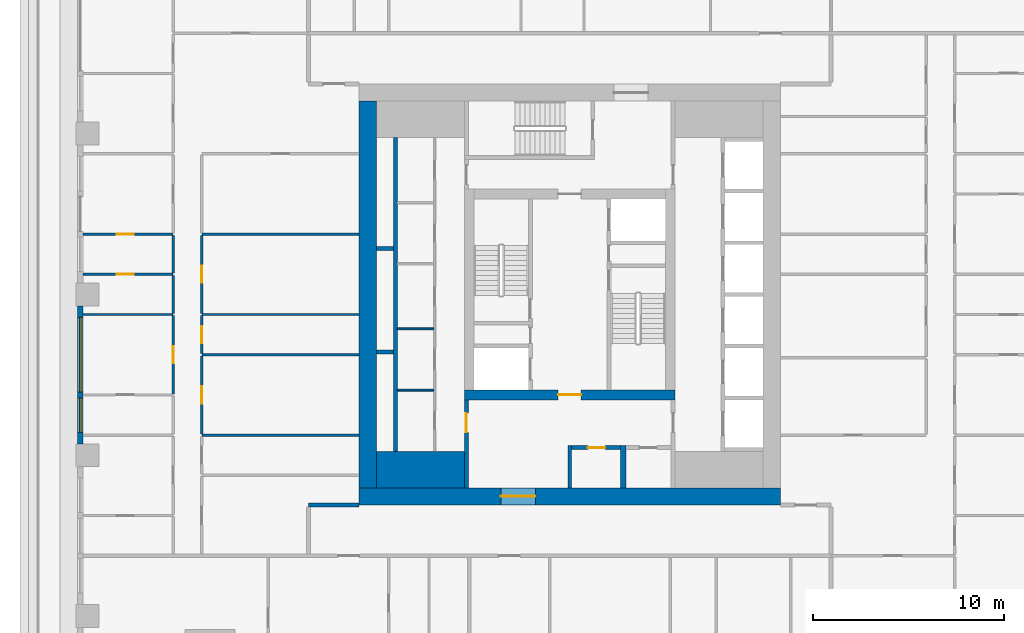
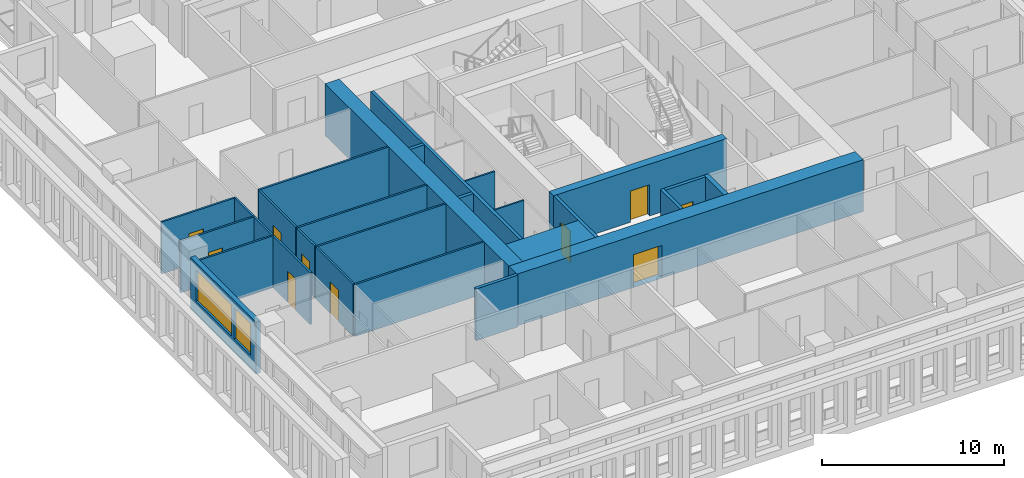
# One storey, part 3 of 16: 28 walls, 10 doors, 2 windows, 12 openings.
"""IFC4 building model written with IfcOpenShell, lengths in metres."""

from ifc_helpers import new_model, si_unit, direction, frame, frame_2d, origin, place, context, subcontext, project, spatial, rectangle, extrude, material, layer, layer_set, type_object, element, fill, save


model = new_model("IFC4")

# Units and contexts
model_context = context("Model", 3, precision=1e-05, world=origin(), true_north=direction((0.0, 1.0)))
body_context = subcontext(model_context, "Body", "Model", "MODEL_VIEW")
ifc_project = project(units=[si_unit("LENGTHUNIT", "METRE"), si_unit("AREAUNIT", "SQUARE_METRE"), si_unit("VOLUMEUNIT", "CUBIC_METRE"), si_unit("PLANEANGLEUNIT", "RADIAN"), si_unit("MASSUNIT", "GRAM", prefix="KILO")], contexts=[model_context])

# Site, building, storey
site_placement = place(None, origin())
site = spatial("IfcSite", under=ifc_project, at=site_placement, CompositionType="ELEMENT")
building_placement = place(site_placement, origin())
building = spatial("IfcBuilding", under=site, at=building_placement, Name="Khepri Terraces", CompositionType="ELEMENT")
storey_placement = place(building_placement, frame((0.0, 0.0, 172.800048828125)))
storey = spatial("IfcBuildingStorey", under=building, at=storey_placement, Name="L41", CompositionType="ELEMENT", Elevation=172.800048828125)

# Walls
ifc_material_1 = material(Name="Concrete C60/75", Category="concrete")
ifc_layer_1 = layer(ifc_material_1, 1.89990234375, Name="Concrete C60/75", Category="concrete")
ifc_layer_set_1 = layer_set([ifc_layer_1], Name="Concrete C60/75")
wall_type_1 = type_object("IfcWallType", Name="Core wall 1900 C60/75", PredefinedType="SHEAR", material=ifc_layer_set_1)
wall_1_placement = place(storey_placement, frame((-10.10009765625, -9.14990234375, 0.0), z_axis=(0.0, 0.0, 1.0), x_axis=(1.0, 0.0, 0.0)))
element("IfcWall", 1, at=wall_1_placement, inside=storey, type_object=wall_type_1, Name="Core wall PR01 L41", PredefinedType="SHEAR", context=body_context, shape_type="SweptSolid", body=[
    extrude(rectangle(XDim=4.60009765625, YDim=1.89990234375, at=frame_2d((2.300048828125, 0.0))), origin(), (0.0, 0.0, 1.0), 3.47998046875),
])
ifc_layer_2 = layer(ifc_material_1, 0.199951171875, Name="Concrete C60/75", Category="concrete")
ifc_layer_set_2 = layer_set([ifc_layer_2], Name="Concrete C60/75")
wall_type_2 = type_object("IfcWallType", Name="Core wall 200 C60/75", PredefinedType="SHEAR", material=ifc_layer_set_2)
wall_2_placement = place(storey_placement, frame((-9.10009765625, -8.199951171875, 0.0), z_axis=(0.0, 0.0, 1.0), x_axis=(0.0, 1.0, 0.0)))
element("IfcWall", 2, at=wall_2_placement, inside=storey, type_object=wall_type_2, Name="Core wall SH01 L41", PredefinedType="SHEAR", context=body_context, shape_type="SweptSolid", body=[
    extrude(rectangle(XDim=16.39990234375, YDim=0.199951171875, at=frame_2d((8.199951171875, 0.0))), origin(), (0.0, 0.0, 1.0), 3.47998046875),
])
for number, where, z_axis, x_axis, name in (
    (3, (-10.10009765625, -3.0, 0.0), (0.0, 0.0, 1.0), (1.0, 0.0, 0.0), "Core wall SH06 L41"),
    (4, (-10.10009765625, 2.39990234375, 0.0), (0.0, 0.0, 1.0), (1.0, 0.0, 0.0), "Core wall SH11 L41"),
):
    element("IfcWall", number, at=place(storey_placement, frame(where, z_axis=z_axis, x_axis=x_axis)), inside=storey, type_object=wall_type_2, Name=name, PredefinedType="SHEAR", context=body_context, shape_type="SweptSolid", body=[
        extrude(rectangle(XDim=0.900146484375, YDim=0.199951171875, at=frame_2d((0.4501953125, 0.0))), origin(), (0.0, 0.0, 1.0), 3.47998046875),
    ])

# Wall, opening, door
ifc_layer_3 = layer(ifc_material_1, 0.5, Name="Concrete C60/75", Category="concrete")
ifc_layer_set_3 = layer_set([ifc_layer_3], Name="Concrete C60/75")
wall_type_3 = type_object("IfcWallType", Name="Core wall 500 C60/75", PredefinedType="SHEAR", material=ifc_layer_set_3)
wall_3_placement = place(storey_placement, frame((-5.5, -5.25, 0.0), z_axis=(0.0, 0.0, 1.0), x_axis=(1.0, 0.0, 0.0)))
wall_3 = element("IfcWall", 5, at=wall_3_placement, inside=storey, type_object=wall_type_3, Name="Core wall BX01 L41", PredefinedType="SHEAR", context=body_context, shape_type="SweptSolid", body=[
    extrude(rectangle(XDim=11.0, YDim=0.5, at=frame_2d((5.5, 0.0))), origin(), (0.0, 0.0, 1.0), 3.47998046875),
])
opening_1_placement = place(wall_3_placement, frame((4.89990234375, 0.0, 0.0)))
opening_1 = element("IfcOpeningElement", 6, at=opening_1_placement, cuts=wall_3, Name="Opening L41-C14", PredefinedType="OPENING", context=body_context, shape_type="SweptSolid", body=[
    extrude(rectangle(XDim=1.199951171875, YDim=2.10009765625, at=frame_2d((0.60009765625, 1.050048828125))), frame((0.0, 0.260009765625, 0.0), z_axis=(0.0, -1.0, 0.0), x_axis=(1.0, 0.0, 0.0)), (0.0, 0.0, 1.0), 0.52001953125),
])
ifc_material_2 = material(Name="Painted steel", Category="steel")
door_type_1 = type_object("IfcDoorType", Name="DR-CORE-FF-LOBBY-1200", OperationType="NOTDEFINED", PredefinedType="DOOR", material=ifc_material_2)
door_1_placement = place(opening_1_placement, origin())
door_1 = element("IfcDoor", 7, at=door_1_placement, inside=storey, type_object=door_type_1, Name="Firefighting lobby door L41-C14", OperationType="SINGLE_SWING_RIGHT", OverallHeight=2.10009765625, OverallWidth=1.199951171875, PredefinedType="DOOR", context=body_context, shape_type="SweptSolid", body=[
    extrude(rectangle(XDim=1.199951171875, YDim=2.10009765625, at=frame_2d((0.60009765625, 1.050048828125))), frame((0.0, 0.02490234375, 0.0), z_axis=(0.0, -1.0, 0.0), x_axis=(1.0, 0.0, 0.0)), (0.0, 0.0, 1.0), 0.050048828125),
])
fill(opening_1, door_1)

ifc_layer_4 = layer(ifc_material_1, 0.89990234375, Name="Concrete C60/75", Category="concrete")
ifc_layer_set_4 = layer_set([ifc_layer_4], Name="Concrete C60/75")
wall_type_4 = type_object("IfcWallType", Name="Core wall 900 C60/75", PredefinedType="SHEAR", material=ifc_layer_set_4)
wall_4_placement = place(storey_placement, frame((-11.0, -10.550048828125, 0.0), z_axis=(0.0, 0.0, 1.0), x_axis=(1.0, 0.0, 0.0)))
wall_4 = element("IfcWall", 8, at=wall_4_placement, inside=storey, type_object=wall_type_4, Name="Core wall OW-S L41", PredefinedType="SHEAR", context=body_context, shape_type="SweptSolid", body=[
    extrude(rectangle(XDim=22.0, YDim=0.89990234375, at=frame_2d((11.0, 0.0))), origin(), (0.0, 0.0, 1.0), 3.47998046875),
])
opening_2_placement = place(wall_4_placement, frame((7.39990234375, 0.0, 0.0)))
opening_2 = element("IfcOpeningElement", 9, at=opening_2_placement, cuts=wall_4, Name="Opening L41-C21", PredefinedType="OPENING", context=body_context, shape_type="SweptSolid", body=[
    extrude(rectangle(XDim=1.800048828125, YDim=2.199951171875, at=frame_2d((0.89990234375, 1.10009765625))), frame((0.0, 0.4599609375, 0.0), z_axis=(0.0, -1.0, 0.0), x_axis=(1.0, 0.0, 0.0)), (0.0, 0.0, 1.0), 0.919921875),
])
door_type_2 = type_object("IfcDoorType", Name="DR-CORE-ENTRANCE-1800", OperationType="NOTDEFINED", PredefinedType="DOOR", material=ifc_material_2)
door_2_placement = place(opening_2_placement, frame((1.800048828125, 0.0, 0.0), z_axis=(0.0, 0.0, 1.0), x_axis=(-1.0, 0.0, 0.0)))
door_2 = element("IfcDoor", 10, at=door_2_placement, inside=storey, type_object=door_type_2, Name="Core entrance door pair L41-C21", OperationType="DOUBLE_DOOR_SINGLE_SWING", OverallHeight=2.199951171875, OverallWidth=1.800048828125, PredefinedType="DOOR", context=body_context, shape_type="SweptSolid", body=[
    extrude(rectangle(XDim=1.800048828125, YDim=2.199951171875, at=frame_2d((0.89990234375, 1.10009765625))), frame((0.0, 0.02490234375, 0.0), z_axis=(0.0, -1.0, 0.0), x_axis=(1.0, 0.0, 0.0)), (0.0, 0.0, 1.0), 0.050048828125),
])
fill(opening_2, door_2)

# Walls
wall_5_placement = place(storey_placement, frame((-10.550048828125, -10.10009765625, 0.0), z_axis=(0.0, 0.0, 1.0), x_axis=(0.0, 1.0, 0.0)))
element("IfcWall", 11, at=wall_5_placement, inside=storey, type_object=wall_type_4, Name="Core wall OW-W L41", PredefinedType="SHEAR", context=body_context, shape_type="SweptSolid", body=[
    extrude(rectangle(XDim=20.2001953125, YDim=0.89990234375, at=frame_2d((10.10009765625, 0.0))), origin(), (0.0, 0.0, 1.0), 3.47998046875),
])
ifc_material_3 = material(Name="Fire-rated gypsum board partition")
ifc_layer_5 = layer(ifc_material_3, 0.10009765625, Name="Fire-rated gypsum board partition")
ifc_layer_set_5 = layer_set([ifc_layer_5], Name="Fire-rated gypsum board partition")
wall_type_5 = type_object("IfcWallType", Name="WL-CORE-PART-100", PredefinedType="PARTITIONING", material=ifc_layer_set_5)
for number, where, z_axis, x_axis, name in (
    (12, (-9.0, -5.0, 0.0), (0.0, 0.0, 1.0), (1.0, 0.0, 0.0), "Core partition PT08 L41"),
    (13, (-9.0, -1.800048828125, 0.0), (0.0, 0.0, 1.0), (1.0, 0.0, 0.0), "Core partition PT09 L41"),
):
    element("IfcWall", number, at=place(storey_placement, frame(where, z_axis=z_axis, x_axis=x_axis)), inside=storey, type_object=wall_type_5, Name=name, PredefinedType="PARTITIONING", context=body_context, shape_type="SweptSolid", body=[
        extrude(rectangle(XDim=1.89990234375, YDim=0.10009765625, at=frame_2d((0.949951171875, 0.0))), origin(), (0.0, 0.0, 1.0), 3.47998046875),
    ])

# Wall, opening, door
ifc_layer_6 = layer(ifc_material_3, 0.199951171875, Name="Fire-rated gypsum board partition")
ifc_layer_set_6 = layer_set([ifc_layer_6], Name="Fire-rated gypsum board partition")
wall_type_6 = type_object("IfcWallType", Name="WL-CORE-PART-200", PredefinedType="PARTITIONING", material=ifc_layer_set_6)
wall_6_placement = place(storey_placement, frame((-5.39990234375, -10.10009765625, 0.0), z_axis=(0.0, 0.0, 1.0), x_axis=(0.0, 1.0, 0.0)))
wall_6 = element("IfcWall", 14, at=wall_6_placement, inside=storey, type_object=wall_type_6, Name="Core partition PT01 L41", PredefinedType="PARTITIONING", context=body_context, shape_type="SweptSolid", body=[
    extrude(rectangle(XDim=4.60009765625, YDim=0.199951171875, at=frame_2d((2.300048828125, 0.0))), origin(), (0.0, 0.0, 1.0), 3.47998046875),
])
opening_3_placement = place(wall_6_placement, frame((2.89990234375, 0.0, 0.0)))
opening_3 = element("IfcOpeningElement", 15, at=opening_3_placement, cuts=wall_6, Name="Opening L41-C18", PredefinedType="OPENING", context=body_context, shape_type="SweptSolid", body=[
    extrude(rectangle(XDim=1.0, YDim=2.10009765625, at=frame_2d((0.5, 1.050048828125))), frame((0.0, 0.10986328125, 0.0), z_axis=(0.0, -1.0, 0.0), x_axis=(1.0, 0.0, 0.0)), (0.0, 0.0, 1.0), 0.219970703125),
])
door_type_3 = type_object("IfcDoorType", Name="DR-CORE-LOBBY-1000", OperationType="NOTDEFINED", PredefinedType="DOOR", material=ifc_material_2)
door_3_placement = place(opening_3_placement, frame((1.0, 0.0, 0.0), z_axis=(0.0, 0.0, 1.0), x_axis=(-1.0, 0.0, 0.0)))
door_3 = element("IfcDoor", 16, at=door_3_placement, inside=storey, type_object=door_type_3, Name="Lobby door L41-C18", OperationType="SINGLE_SWING_LEFT", OverallHeight=2.10009765625, OverallWidth=1.0, PredefinedType="DOOR", context=body_context, shape_type="SweptSolid", body=[
    extrude(rectangle(XDim=1.0, YDim=2.10009765625, at=frame_2d((0.5, 1.050048828125))), frame((0.0, 0.02490234375, 0.0), z_axis=(0.0, -1.0, 0.0), x_axis=(1.0, 0.0, 0.0)), (0.0, 0.0, 1.0), 0.050048828125),
])
fill(opening_3, door_3)

# Wall
wall_7_placement = place(storey_placement, frame((0.0, -10.10009765625, 0.0), z_axis=(0.0, 0.0, 1.0), x_axis=(0.0, 1.0, 0.0)))
element("IfcWall", 17, at=wall_7_placement, inside=storey, type_object=wall_type_6, Name="Core partition PT02 L41", PredefinedType="PARTITIONING", context=body_context, shape_type="SweptSolid", body=[
    extrude(rectangle(XDim=2.2001953125, YDim=0.199951171875, at=frame_2d((1.10009765625, 0.0))), origin(), (0.0, 0.0, 1.0), 3.47998046875),
])

# Wall, opening, door
wall_8_placement = place(storey_placement, frame((0.10009765625, -8.0, 0.0), z_axis=(0.0, 0.0, 1.0), x_axis=(1.0, 0.0, 0.0)))
wall_8 = element("IfcWall", 18, at=wall_8_placement, inside=storey, type_object=wall_type_6, Name="Core partition PT06 L41", PredefinedType="PARTITIONING", context=body_context, shape_type="SweptSolid", body=[
    extrude(rectangle(XDim=2.5498046875, YDim=0.199951171875, at=frame_2d((1.27490234375, 0.0))), origin(), (0.0, 0.0, 1.0), 3.47998046875),
])
opening_4_placement = place(wall_8_placement, frame((0.85009765625, 0.0, 0.0)))
opening_4 = element("IfcOpeningElement", 19, at=opening_4_placement, cuts=wall_8, Name="Opening L41-C22", PredefinedType="OPENING", context=body_context, shape_type="SweptSolid", body=[
    extrude(rectangle(XDim=0.89990234375, YDim=2.10009765625, at=frame_2d((0.449951171875, 1.050048828125))), frame((0.0, 0.10986328125, 0.0), z_axis=(0.0, -1.0, 0.0), x_axis=(1.0, 0.0, 0.0)), (0.0, 0.0, 1.0), 0.219970703125),
])
door_type_4 = type_object("IfcDoorType", Name="DR-CORE-SERVICE-900", OperationType="NOTDEFINED", PredefinedType="DOOR", material=ifc_material_2)
door_4_placement = place(opening_4_placement, frame((0.89990234375, 0.0, 0.0), z_axis=(0.0, 0.0, 1.0), x_axis=(-1.0, 0.0, 0.0)))
door_4 = element("IfcDoor", 20, at=door_4_placement, inside=storey, type_object=door_type_4, Name="Service room door L41-C22", OperationType="SINGLE_SWING_LEFT", OverallHeight=2.10009765625, OverallWidth=0.89990234375, PredefinedType="DOOR", context=body_context, shape_type="SweptSolid", body=[
    extrude(rectangle(XDim=0.89990234375, YDim=2.10009765625, at=frame_2d((0.449951171875, 1.050048828125))), frame((0.0, 0.02490234375, 0.0), z_axis=(0.0, -1.0, 0.0), x_axis=(1.0, 0.0, 0.0)), (0.0, 0.0, 1.0), 0.050048828125),
])
fill(opening_4, door_4)

# Walls
ifc_layer_7 = layer(ifc_material_3, 0.300048828125, Name="Fire-rated gypsum board partition")
ifc_layer_set_7 = layer_set([ifc_layer_7], Name="Fire-rated gypsum board partition")
wall_type_7 = type_object("IfcWallType", Name="WL-CORE-PART-300", PredefinedType="PARTITIONING", material=ifc_layer_set_7)
wall_9_placement = place(storey_placement, frame((2.800048828125, -10.10009765625, 0.0), z_axis=(0.0, 0.0, 1.0), x_axis=(0.0, 1.0, 0.0)))
element("IfcWall", 21, at=wall_9_placement, inside=storey, type_object=wall_type_7, Name="Core partition PT03 L41", PredefinedType="PARTITIONING", context=body_context, shape_type="SweptSolid", body=[
    extrude(rectangle(XDim=2.2001953125, YDim=0.300048828125, at=frame_2d((1.10009765625, 0.0))), origin(), (0.0, 0.0, 1.0), 3.47998046875),
])
ifc_material_4 = material(Name="Fire-rated gypsum plasterboard partition, mineral wool")
ifc_layer_8 = layer(ifc_material_4, 0.199951171875, Name="Fire-rated gypsum plasterboard partition, mineral wool")
ifc_layer_set_8 = layer_set([ifc_layer_8], Name="Fire-rated gypsum plasterboard partition, mineral wool")
wall_type_8 = type_object("IfcWallType", Name="WL-CORR-200", PredefinedType="PARTITIONING", material=ifc_layer_set_8)
wall_10_placement = place(storey_placement, frame((-13.64990234375, -11.0, 0.0), z_axis=(0.0, 0.0, 1.0), x_axis=(1.0, 0.0, 0.0)))
element("IfcWall", 22, at=wall_10_placement, inside=storey, type_object=wall_type_8, Name="Partition P-034 L41", PredefinedType="PARTITIONING", context=body_context, shape_type="SweptSolid", body=[
    extrude(rectangle(XDim=2.64990234375, YDim=0.199951171875, at=frame_2d((1.324951171875, 0.0))), origin(), (0.0, 0.0, 1.0), 3.47998046875),
])

# Wall, openings, windows
ifc_material_5 = material(Name="Precast concrete C50/60 warm stone", Category="masonry")
ifc_layer_9 = layer(ifc_material_5, 0.300048828125, Name="Precast concrete C50/60 warm stone", Category="masonry")
ifc_layer_set_9 = layer_set([ifc_layer_9], Name="Precast concrete C50/60 warm stone")
wall_type_9 = type_object("IfcWallType", Name="WL-EXT-PRECAST-300", PredefinedType="STANDARD", material=ifc_layer_set_9)
wall_11_placement = place(storey_placement, frame((-25.570068359375, -0.60009765625, 0.0), z_axis=(0.0, 0.0, 1.0), x_axis=(0.0, -1.0, 0.0)))
wall_11 = element("IfcWall", 23, at=wall_11_placement, inside=storey, type_object=wall_type_9, Name="External wall L41 W", PredefinedType="STANDARD", context=body_context, shape_type="SweptSolid", body=[
    extrude(rectangle(XDim=7.199951171875, YDim=0.300048828125, at=frame_2d((3.60009765625, 0.0))), origin(), (0.0, 0.0, 1.0), 3.47998046875),
])
opening_5_placement = place(wall_11_placement, frame((0.60009765625, 0.0, 0.89990234375)))
opening_5 = element("IfcOpeningElement", 24, at=opening_5_placement, cuts=wall_11, Name="Opening W2", PredefinedType="OPENING", context=body_context, shape_type="SweptSolid", body=[
    extrude(rectangle(XDim=3.89990234375, YDim=2.10009765625, at=frame_2d((1.949951171875, 1.050048828125))), frame((0.0, 0.16015625, 0.0), z_axis=(0.0, -1.0, 0.0), x_axis=(1.0, 0.0, 0.0)), (0.0, 0.0, 1.0), 0.320068359375),
])
opening_6_placement = place(wall_11_placement, frame((4.800048828125, 0.0, 0.89990234375)))
opening_6 = element("IfcOpeningElement", 25, at=opening_6_placement, cuts=wall_11, Name="Opening W1", PredefinedType="OPENING", context=body_context, shape_type="SweptSolid", body=[
    extrude(rectangle(XDim=1.800048828125, YDim=2.10009765625, at=frame_2d((0.89990234375, 1.050048828125))), frame((0.0, 0.16015625, 0.0), z_axis=(0.0, -1.0, 0.0), x_axis=(1.0, 0.0, 0.0)), (0.0, 0.0, 1.0), 0.320068359375),
])
ifc_material_6 = material(Name="Clear glass", Category="glass")
window_type_1 = type_object("IfcWindowType", Name="WIN-RES-1800x2100", PartitioningType="SINGLE_PANEL", PredefinedType="WINDOW", material=ifc_material_6)
window_1_placement = place(opening_6_placement, origin())
window_1 = element("IfcWindow", 26, at=window_1_placement, inside=storey, type_object=window_type_1, Name="Window L41 W", OverallHeight=2.10009765625, OverallWidth=1.800048828125, PartitioningType="SINGLE_PANEL", PredefinedType="WINDOW", context=body_context, shape_type="SweptSolid", body=[
    extrude(rectangle(XDim=1.800048828125, YDim=2.10009765625, at=frame_2d((0.89990234375, 1.050048828125))), frame((0.0, 0.030029296875, 0.0), z_axis=(0.0, -1.0, 0.0), x_axis=(1.0, 0.0, 0.0)), (0.0, 0.0, 1.0), 0.06005859375),
])
fill(opening_6, window_1)
window_type_2 = type_object("IfcWindowType", Name="WIN-RES-3900x2100", PartitioningType="SINGLE_PANEL", PredefinedType="WINDOW", material=ifc_material_6)
window_2_placement = place(opening_5_placement, origin())
window_2 = element("IfcWindow", 27, at=window_2_placement, inside=storey, type_object=window_type_2, Name="Window L41 W", OverallHeight=2.10009765625, OverallWidth=3.89990234375, PartitioningType="SINGLE_PANEL", PredefinedType="WINDOW", context=body_context, shape_type="SweptSolid", body=[
    extrude(rectangle(XDim=3.89990234375, YDim=2.10009765625, at=frame_2d((1.949951171875, 1.050048828125))), frame((0.0, 0.030029296875, 0.0), z_axis=(0.0, -1.0, 0.0), x_axis=(1.0, 0.0, 0.0)), (0.0, 0.0, 1.0), 0.06005859375),
])
fill(opening_5, window_2)

# Wall
ifc_material_7 = material(Name="Gypsum plasterboard partition")
ifc_layer_10 = layer(ifc_material_7, 0.1201171875, Name="Gypsum plasterboard partition")
ifc_layer_set_10 = layer_set([ifc_layer_10], Name="Gypsum plasterboard partition")
wall_type_10 = type_object("IfcWallType", Name="WL-PART-120", PredefinedType="PARTITIONING", material=ifc_layer_set_10)
wall_12_placement = place(storey_placement, frame((-19.219970703125, -7.35009765625, 0.0), z_axis=(0.0, 0.0, 1.0), x_axis=(1.0, 0.0, 0.0)))
element("IfcWall", 28, at=wall_12_placement, inside=storey, type_object=wall_type_10, Name="Partition P-039 L41", PredefinedType="PARTITIONING", context=body_context, shape_type="SweptSolid", body=[
    extrude(rectangle(XDim=8.219970703125, YDim=0.1201171875, at=frame_2d((4.10986328125, 0.0))), origin(), (0.0, 0.0, 1.0), 3.47998046875),
])

# Wall, opening, door
wall_13_placement = place(storey_placement, frame((-19.219970703125, -7.2900390625, 0.0), z_axis=(0.0, 0.0, 1.0), x_axis=(0.0, 1.0, 0.0)))
wall_13 = element("IfcWall", 29, at=wall_13_placement, inside=storey, type_object=wall_type_10, Name="Partition P-043 L41", PredefinedType="PARTITIONING", context=body_context, shape_type="SweptSolid", body=[
    extrude(rectangle(XDim=4.080078125, YDim=0.1201171875, at=frame_2d((2.0400390625, 0.0))), origin(), (0.0, 0.0, 1.0), 3.47998046875),
])
opening_7_placement = place(wall_13_placement, frame((1.590087890625, 0.0, 0.0)))
opening_7 = element("IfcOpeningElement", 30, at=opening_7_placement, cuts=wall_13, Name="Opening D3", PredefinedType="OPENING", context=body_context, shape_type="SweptSolid", body=[
    extrude(rectangle(XDim=0.89990234375, YDim=2.10009765625, at=frame_2d((0.449951171875, 1.050048828125))), frame((0.0, 0.070068359375, 0.0), z_axis=(0.0, -1.0, 0.0), x_axis=(1.0, 0.0, 0.0)), (0.0, 0.0, 1.0), 0.14013671875),
])
ifc_material_8 = material(Name="Timber door leaf", Category="wood")
door_type_5 = type_object("IfcDoorType", Name="DR-INT-900", OperationType="NOTDEFINED", PredefinedType="DOOR", material=ifc_material_8)
door_5_placement = place(opening_7_placement, frame((0.89990234375, 0.0, 0.0), z_axis=(0.0, 0.0, 1.0), x_axis=(-1.0, 0.0, 0.0)))
door_5 = element("IfcDoor", 31, at=door_5_placement, inside=storey, type_object=door_type_5, Name="Door Utility Room", OperationType="SINGLE_SWING_LEFT", OverallHeight=2.10009765625, OverallWidth=0.89990234375, PredefinedType="DOOR", context=body_context, shape_type="SweptSolid", body=[
    extrude(rectangle(XDim=0.89990234375, YDim=2.10009765625, at=frame_2d((0.449951171875, 1.050048828125))), frame((0.0, 0.02490234375, 0.0), z_axis=(0.0, -1.0, 0.0), x_axis=(1.0, 0.0, 0.0)), (0.0, 0.0, 1.0), 0.050048828125),
])
fill(opening_7, door_5)

wall_14_placement = place(storey_placement, frame((-20.719970703125, -5.18994140625, 0.0), z_axis=(0.0, 0.0, 1.0), x_axis=(0.0, 1.0, 0.0)))
wall_14 = element("IfcWall", 32, at=wall_14_placement, inside=storey, type_object=wall_type_10, Name="Partition P-047 L41", PredefinedType="PARTITIONING", context=body_context, shape_type="SweptSolid", body=[
    extrude(rectangle(XDim=4.079833984375, YDim=0.1201171875, at=frame_2d((2.0400390625, 0.0))), origin(), (0.0, 0.0, 1.0), 3.47998046875),
])
opening_8_placement = place(wall_14_placement, frame((1.590087890625, 0.0, 0.0)))
opening_8 = element("IfcOpeningElement", 33, at=opening_8_placement, cuts=wall_14, Name="Opening D3", PredefinedType="OPENING", context=body_context, shape_type="SweptSolid", body=[
    extrude(rectangle(XDim=0.89990234375, YDim=2.10009765625, at=frame_2d((0.449951171875, 1.050048828125))), frame((0.0, 0.070068359375, 0.0), z_axis=(0.0, -1.0, 0.0), x_axis=(1.0, 0.0, 0.0)), (0.0, 0.0, 1.0), 0.14013671875),
])
door_6_placement = place(opening_8_placement, origin())
door_6 = element("IfcDoor", 34, at=door_6_placement, inside=storey, type_object=door_type_5, Name="Door Bedroom", OperationType="SINGLE_SWING_RIGHT", OverallHeight=2.10009765625, OverallWidth=0.89990234375, PredefinedType="DOOR", context=body_context, shape_type="SweptSolid", body=[
    extrude(rectangle(XDim=0.89990234375, YDim=2.10009765625, at=frame_2d((0.449951171875, 1.050048828125))), frame((0.0, 0.02490234375, 0.0), z_axis=(0.0, -1.0, 0.0), x_axis=(1.0, 0.0, 0.0)), (0.0, 0.0, 1.0), 0.050048828125),
])
fill(opening_8, door_6)

# Wall
wall_15_placement = place(storey_placement, frame((-19.219970703125, -3.14990234375, 0.0), z_axis=(0.0, 0.0, 1.0), x_axis=(1.0, 0.0, 0.0)))
element("IfcWall", 35, at=wall_15_placement, inside=storey, type_object=wall_type_10, Name="Partition P-050 L41", PredefinedType="PARTITIONING", context=body_context, shape_type="SweptSolid", body=[
    extrude(rectangle(XDim=8.219970703125, YDim=0.1201171875, at=frame_2d((4.10986328125, 0.0))), origin(), (0.0, 0.0, 1.0), 3.47998046875),
])

# Wall, opening, door
wall_16_placement = place(storey_placement, frame((-19.219970703125, -3.090087890625, 0.0), z_axis=(0.0, 0.0, 1.0), x_axis=(0.0, 1.0, 0.0)))
wall_16 = element("IfcWall", 36, at=wall_16_placement, inside=storey, type_object=wall_type_10, Name="Partition P-052 L41", PredefinedType="PARTITIONING", context=body_context, shape_type="SweptSolid", body=[
    extrude(rectangle(XDim=1.97998046875, YDim=0.1201171875, at=frame_2d((0.989990234375, 0.0))), origin(), (0.0, 0.0, 1.0), 3.47998046875),
])
opening_9_placement = place(wall_16_placement, frame((0.5400390625, 0.0, 0.0)))
opening_9 = element("IfcOpeningElement", 37, at=opening_9_placement, cuts=wall_16, Name="Opening D4", PredefinedType="OPENING", context=body_context, shape_type="SweptSolid", body=[
    extrude(rectangle(XDim=0.89990234375, YDim=2.10009765625, at=frame_2d((0.449951171875, 1.050048828125))), frame((0.0, 0.070068359375, 0.0), z_axis=(0.0, -1.0, 0.0), x_axis=(1.0, 0.0, 0.0)), (0.0, 0.0, 1.0), 0.14013671875),
])
ifc_material_9 = material(Name="Timber door leaf, moisture resistant", Category="wood")
door_type_6 = type_object("IfcDoorType", Name="DR-WET-900", OperationType="NOTDEFINED", PredefinedType="DOOR", material=ifc_material_9)
door_7_placement = place(opening_9_placement, frame((0.89990234375, 0.0, 0.0), z_axis=(0.0, 0.0, 1.0), x_axis=(-1.0, 0.0, 0.0)))
door_7 = element("IfcDoor", 38, at=door_7_placement, inside=storey, type_object=door_type_6, Name="Door Powder Room", OperationType="SINGLE_SWING_RIGHT", OverallHeight=2.10009765625, OverallWidth=0.89990234375, PredefinedType="DOOR", context=body_context, shape_type="SweptSolid", body=[
    extrude(rectangle(XDim=0.89990234375, YDim=2.10009765625, at=frame_2d((0.449951171875, 1.050048828125))), frame((0.0, 0.02490234375, 0.0), z_axis=(0.0, -1.0, 0.0), x_axis=(1.0, 0.0, 0.0)), (0.0, 0.0, 1.0), 0.050048828125),
])
fill(opening_9, door_7)

# Walls
wall_17_placement = place(storey_placement, frame((-25.419921875, -1.050048828125, 0.0), z_axis=(0.0, 0.0, 1.0), x_axis=(1.0, 0.0, 0.0)))
element("IfcWall", 39, at=wall_17_placement, inside=storey, type_object=wall_type_10, Name="Partition P-054 L41", PredefinedType="PARTITIONING", context=body_context, shape_type="SweptSolid", body=[
    extrude(rectangle(XDim=4.699951171875, YDim=0.1201171875, at=frame_2d((2.35009765625, 0.0))), origin(), (0.0, 0.0, 1.0), 3.47998046875),
])
wall_18_placement = place(storey_placement, frame((-19.219970703125, -1.050048828125, 0.0), z_axis=(0.0, 0.0, 1.0), x_axis=(1.0, 0.0, 0.0)))
element("IfcWall", 40, at=wall_18_placement, inside=storey, type_object=wall_type_10, Name="Partition P-055 L41", PredefinedType="PARTITIONING", context=body_context, shape_type="SweptSolid", body=[
    extrude(rectangle(XDim=8.219970703125, YDim=0.1201171875, at=frame_2d((4.10986328125, 0.0))), origin(), (0.0, 0.0, 1.0), 3.47998046875),
])
wall_19_placement = place(storey_placement, frame((-20.719970703125, -0.989990234375, 0.0), z_axis=(0.0, 0.0, 1.0), x_axis=(0.0, 1.0, 0.0)))
element("IfcWall", 41, at=wall_19_placement, inside=storey, type_object=wall_type_10, Name="Partition P-057 L41", PredefinedType="PARTITIONING", context=body_context, shape_type="SweptSolid", body=[
    extrude(rectangle(XDim=1.97998046875, YDim=0.1201171875, at=frame_2d((0.989990234375, 0.0))), origin(), (0.0, 0.0, 1.0), 3.47998046875),
])

# Wall, opening, door
wall_20_placement = place(storey_placement, frame((-19.219970703125, -0.989990234375, 0.0), z_axis=(0.0, 0.0, 1.0), x_axis=(0.0, 1.0, 0.0)))
wall_20 = element("IfcWall", 42, at=wall_20_placement, inside=storey, type_object=wall_type_10, Name="Partition P-058 L41", PredefinedType="PARTITIONING", context=body_context, shape_type="SweptSolid", body=[
    extrude(rectangle(XDim=4.080078125, YDim=0.1201171875, at=frame_2d((2.0400390625, 0.0))), origin(), (0.0, 0.0, 1.0), 3.47998046875),
])
opening_10_placement = place(wall_20_placement, frame((1.590087890625, 0.0, 0.0)))
opening_10 = element("IfcOpeningElement", 43, at=opening_10_placement, cuts=wall_20, Name="Opening D3", PredefinedType="OPENING", context=body_context, shape_type="SweptSolid", body=[
    extrude(rectangle(XDim=0.89990234375, YDim=2.10009765625, at=frame_2d((0.449951171875, 1.050048828125))), frame((0.0, 0.070068359375, 0.0), z_axis=(0.0, -1.0, 0.0), x_axis=(1.0, 0.0, 0.0)), (0.0, 0.0, 1.0), 0.14013671875),
])
door_8_placement = place(opening_10_placement, frame((0.89990234375, 0.0, 0.0), z_axis=(0.0, 0.0, 1.0), x_axis=(-1.0, 0.0, 0.0)))
door_8 = element("IfcDoor", 44, at=door_8_placement, inside=storey, type_object=door_type_5, Name="Door Service Store", OperationType="SINGLE_SWING_LEFT", OverallHeight=2.10009765625, OverallWidth=0.89990234375, PredefinedType="DOOR", context=body_context, shape_type="SweptSolid", body=[
    extrude(rectangle(XDim=0.89990234375, YDim=2.10009765625, at=frame_2d((0.449951171875, 1.050048828125))), frame((0.0, 0.02490234375, 0.0), z_axis=(0.0, -1.0, 0.0), x_axis=(1.0, 0.0, 0.0)), (0.0, 0.0, 1.0), 0.050048828125),
])
fill(opening_10, door_8)

wall_21_placement = place(storey_placement, frame((-25.419921875, 1.050048828125, 0.0), z_axis=(0.0, 0.0, 1.0), x_axis=(1.0, 0.0, 0.0)))
wall_21 = element("IfcWall", 45, at=wall_21_placement, inside=storey, type_object=wall_type_10, Name="Partition P-060 L41", PredefinedType="PARTITIONING", context=body_context, shape_type="SweptSolid", body=[
    extrude(rectangle(XDim=4.699951171875, YDim=0.1201171875, at=frame_2d((2.35009765625, 0.0))), origin(), (0.0, 0.0, 1.0), 3.47998046875),
])
opening_11_placement = place(wall_21_placement, frame((1.75, 0.0, 0.0)))
opening_11 = element("IfcOpeningElement", 46, at=opening_11_placement, cuts=wall_21, Name="Opening D4", PredefinedType="OPENING", context=body_context, shape_type="SweptSolid", body=[
    extrude(rectangle(XDim=0.89990234375, YDim=2.10009765625, at=frame_2d((0.449951171875, 1.050048828125))), frame((0.0, 0.070068359375, 0.0), z_axis=(0.0, -1.0, 0.0), x_axis=(1.0, 0.0, 0.0)), (0.0, 0.0, 1.0), 0.14013671875),
])
door_9_placement = place(opening_11_placement, frame((0.89990234375, 0.0, 0.0), z_axis=(0.0, 0.0, 1.0), x_axis=(-1.0, 0.0, 0.0)))
door_9 = element("IfcDoor", 47, at=door_9_placement, inside=storey, type_object=door_type_6, Name="Door Bathroom", OperationType="SINGLE_SWING_RIGHT", OverallHeight=2.10009765625, OverallWidth=0.89990234375, PredefinedType="DOOR", context=body_context, shape_type="SweptSolid", body=[
    extrude(rectangle(XDim=0.89990234375, YDim=2.10009765625, at=frame_2d((0.449951171875, 1.050048828125))), frame((0.0, 0.02490234375, 0.0), z_axis=(0.0, -1.0, 0.0), x_axis=(1.0, 0.0, 0.0)), (0.0, 0.0, 1.0), 0.050048828125),
])
fill(opening_11, door_9)

# Wall
wall_22_placement = place(storey_placement, frame((-20.719970703125, 1.110107421875, 0.0), z_axis=(0.0, 0.0, 1.0), x_axis=(0.0, 1.0, 0.0)))
element("IfcWall", 48, at=wall_22_placement, inside=storey, type_object=wall_type_10, Name="Partition P-063 L41", PredefinedType="PARTITIONING", context=body_context, shape_type="SweptSolid", body=[
    extrude(rectangle(XDim=1.97998046875, YDim=0.1201171875, at=frame_2d((0.989990234375, 0.0))), origin(), (0.0, 0.0, 1.0), 3.47998046875),
])

# Wall, opening, door
wall_23_placement = place(storey_placement, frame((-25.419921875, 3.14990234375, 0.0), z_axis=(0.0, 0.0, 1.0), x_axis=(1.0, 0.0, 0.0)))
wall_23 = element("IfcWall", 49, at=wall_23_placement, inside=storey, type_object=wall_type_10, Name="Partition P-066 L41", PredefinedType="PARTITIONING", context=body_context, shape_type="SweptSolid", body=[
    extrude(rectangle(XDim=4.699951171875, YDim=0.1201171875, at=frame_2d((2.35009765625, 0.0))), origin(), (0.0, 0.0, 1.0), 3.47998046875),
])
opening_12_placement = place(wall_23_placement, frame((1.75, 0.0, 0.0)))
opening_12 = element("IfcOpeningElement", 50, at=opening_12_placement, cuts=wall_23, Name="Opening D3", PredefinedType="OPENING", context=body_context, shape_type="SweptSolid", body=[
    extrude(rectangle(XDim=0.89990234375, YDim=2.10009765625, at=frame_2d((0.449951171875, 1.050048828125))), frame((0.0, 0.070068359375, 0.0), z_axis=(0.0, -1.0, 0.0), x_axis=(1.0, 0.0, 0.0)), (0.0, 0.0, 1.0), 0.14013671875),
])
door_10_placement = place(opening_12_placement, frame((0.89990234375, 0.0, 0.0), z_axis=(0.0, 0.0, 1.0), x_axis=(-1.0, 0.0, 0.0)))
door_10 = element("IfcDoor", 51, at=door_10_placement, inside=storey, type_object=door_type_5, Name="Door Dressing Room", OperationType="SINGLE_SWING_RIGHT", OverallHeight=2.10009765625, OverallWidth=0.89990234375, PredefinedType="DOOR", context=body_context, shape_type="SweptSolid", body=[
    extrude(rectangle(XDim=0.89990234375, YDim=2.10009765625, at=frame_2d((0.449951171875, 1.050048828125))), frame((0.0, 0.02490234375, 0.0), z_axis=(0.0, -1.0, 0.0), x_axis=(1.0, 0.0, 0.0)), (0.0, 0.0, 1.0), 0.050048828125),
])
fill(opening_12, door_10)

# Wall
wall_24_placement = place(storey_placement, frame((-19.219970703125, 3.14990234375, 0.0), z_axis=(0.0, 0.0, 1.0), x_axis=(1.0, 0.0, 0.0)))
element("IfcWall", 52, at=wall_24_placement, inside=storey, type_object=wall_type_10, Name="Partition P-067 L41", PredefinedType="PARTITIONING", context=body_context, shape_type="SweptSolid", body=[
    extrude(rectangle(XDim=8.219970703125, YDim=0.1201171875, at=frame_2d((4.10986328125, 0.0))), origin(), (0.0, 0.0, 1.0), 3.47998046875),
])

save(model, "model.ifc")
